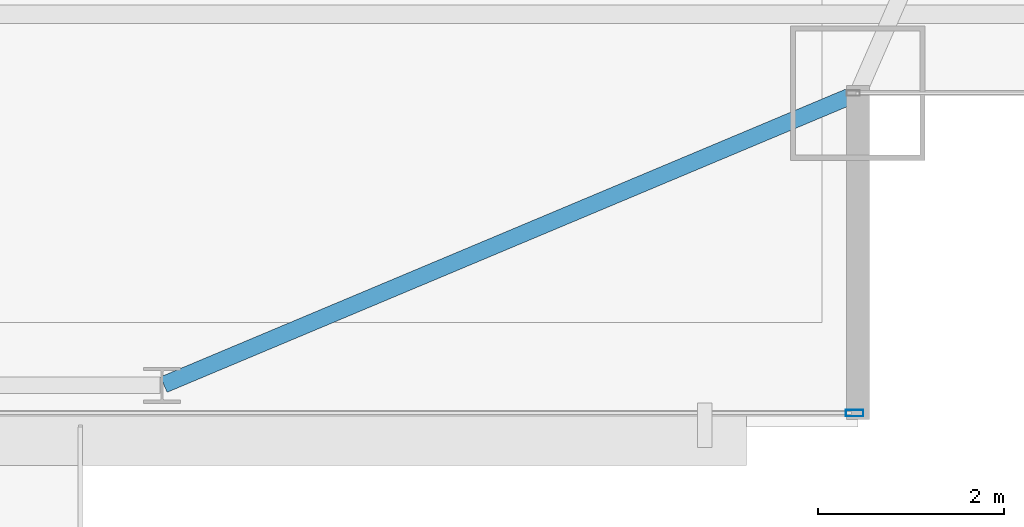
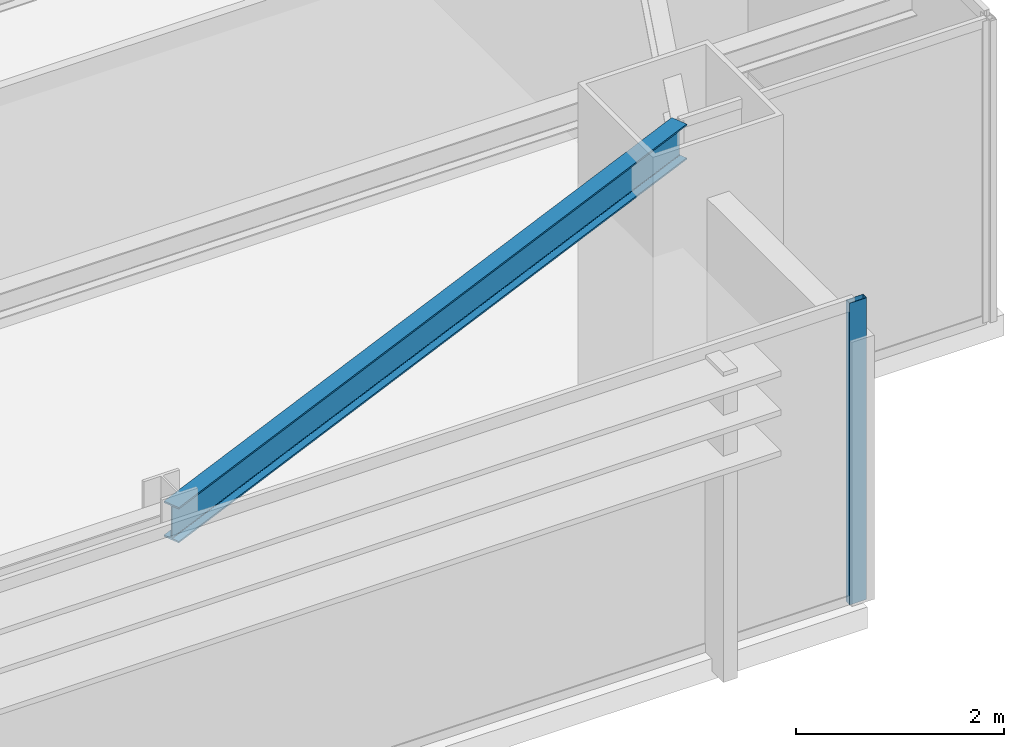
# One storey, part 14 of 36: 1 beam, 1 member, 1 element without a shape of its own.
"""IFC4 building model written with IfcOpenShell, lengths in metres."""

from ifc_helpers import new_model, si_unit, direction, frame, origin, origin_2d, place, context, subcontext, project, spatial, hollow_rectangle, i_section, extrude, source, transform, mapped, material, layer, layer_set, material_profile, profile_set, type_object, type_shapes, element, aggregate, save


model = new_model("IFC4")

# Units and contexts
model_context = context("Model", 3, precision=1e-05, world=origin(), true_north=direction((0.0, 1.0)))
body_context = subcontext(model_context, "Body", "Model", "MODEL_VIEW")
ifc_project = project(units=[si_unit("LENGTHUNIT", "METRE"), si_unit("AREAUNIT", "SQUARE_METRE"), si_unit("VOLUMEUNIT", "CUBIC_METRE"), si_unit("PLANEANGLEUNIT", "RADIAN"), si_unit("MASSUNIT", "GRAM", prefix="KILO")], contexts=[model_context])

# Site, building, storey
site_placement = place(None, origin())
site = spatial("IfcSite", under=ifc_project, at=site_placement, CompositionType="ELEMENT")
building_placement = place(site_placement, origin())
building = spatial("IfcBuilding", under=site, at=building_placement, Name="Varnel Quay Broadcast Tower", CompositionType="ELEMENT")
storey_placement = place(building_placement, frame((0.0, 0.0, 114.39990234375)))
storey = spatial("IfcBuildingStorey", under=building, at=storey_placement, Name="L27", CompositionType="ELEMENT", Elevation=114.39990234375)

# Beam
ifc_material_1 = material(Name="Structural Steel CSA G40.21 350W", Category="steel")
ifc_material_profile_1 = material_profile(ifc_material_1, i_section(OverallWidth=0.180908203125, OverallDepth=0.4169921875, WebThickness=0.010986328125, FlangeThickness=0.018310546875, FilletRadius=0.011962890625, at=origin_2d()), Name="W410X85")
ifc_profile_set_1 = profile_set([ifc_material_profile_1], Name="Structural Steel CSA G40.21 350W")
beam_type = type_object("IfcBeamType", Name="Beam_W410X85", PredefinedType="SPANDREL", material=ifc_profile_set_1)
shared_shape_1 = source(origin(), body_context, "Body", "SweptSolid", [
    extrude(i_section(OverallWidth=0.180908203125, OverallDepth=0.4169921875, WebThickness=0.010986328125, FlangeThickness=0.018310546875, FilletRadius=0.011962890625, at=origin_2d()), origin(), (0.0, 0.0, 1.0), 8.0947265625),
])
type_shapes(beam_type, [shared_shape_1])
beam_placement = place(storey_placement, frame((52.41845703125, 4.65771484375, 3.341552734375), z_axis=(0.921981890247, 0.387232997117, 0.0), x_axis=(-0.387232997117, 0.921981890247, 0.0)))
element("IfcBeam", 1, at=beam_placement, inside=storey, type_object=beam_type, Name="L27 South Spandrel TC-S5-MC-SE", PredefinedType="SPANDREL", context=body_context, shape_type="MappedRepresentation", body=[
    mapped(shared_shape_1, transform((0.0, 0.0, 0.0), x_axis=(1.0, 0.0, 0.0), y_axis=(0.0, 1.0, 0.0), z_axis=(0.0, 0.0, 1.0), scale=1.0)),
])

# Curtain wall, member
ifc_material_2 = material(Name="Anodised Bronze Aluminium 6063-T6", Category="aluminium")
ifc_layer = layer(ifc_material_2, 0.18994140625, Name="Anodised Bronze Aluminium 6063-T6")
ifc_layer_set = layer_set([ifc_layer], Name="Anodised Bronze Aluminium 6063-T6")
curtain_wall_type = type_object("IfcCurtainWallType", Name="CW_LowerTower", PredefinedType="NOTDEFINED", material=ifc_layer_set)
curtain_wall_placement = place(storey_placement, origin())
curtain_wall = element("IfcCurtainWall", 2, at=curtain_wall_placement, inside=storey, type_object=curtain_wall_type, Name="L27 South Unitised Curtain Wall 3", PredefinedType="NOTDEFINED")
ifc_material_profile_2 = material_profile(ifc_material_2, hollow_rectangle(XDim=0.070068359375, YDim=0.18994140625, WallThickness=0.00390625, at=origin_2d()), Name="ALU70X190X4")
ifc_profile_set_2 = profile_set([ifc_material_profile_2], Name="Anodised Bronze Aluminium 6063-T6")
member_type = type_object("IfcMemberType", Name="Mull_CWS-02", PredefinedType="MULLION", material=ifc_profile_set_2)
shared_shape_2 = source(origin(), body_context, "Body", "SweptSolid", [
    extrude(hollow_rectangle(XDim=0.070068359375, YDim=0.18994140625, WallThickness=0.00390625, at=origin_2d()), origin(), (0.0, 0.0, 1.0), 3.550048828125),
])
type_shapes(member_type, [shared_shape_2])
member_placement = place(storey_placement, frame((59.864990234375, 4.35009765625, 0.0), z_axis=(0.0, 0.0, 1.0), x_axis=(0.0, 1.0, 0.0)))
member = element("IfcMember", 3, at=member_placement, type_object=member_type, Name="CWS-02 mullion 2", PredefinedType="MULLION", context=body_context, shape_type="MappedRepresentation", body=[
    mapped(shared_shape_2, transform((0.0, 0.0, 0.0), x_axis=(1.0, 0.0, 0.0), y_axis=(0.0, 1.0, 0.0), z_axis=(0.0, 0.0, 1.0), scale=1.0)),
])
aggregate(curtain_wall, [member])

save(model, "model.ifc")
